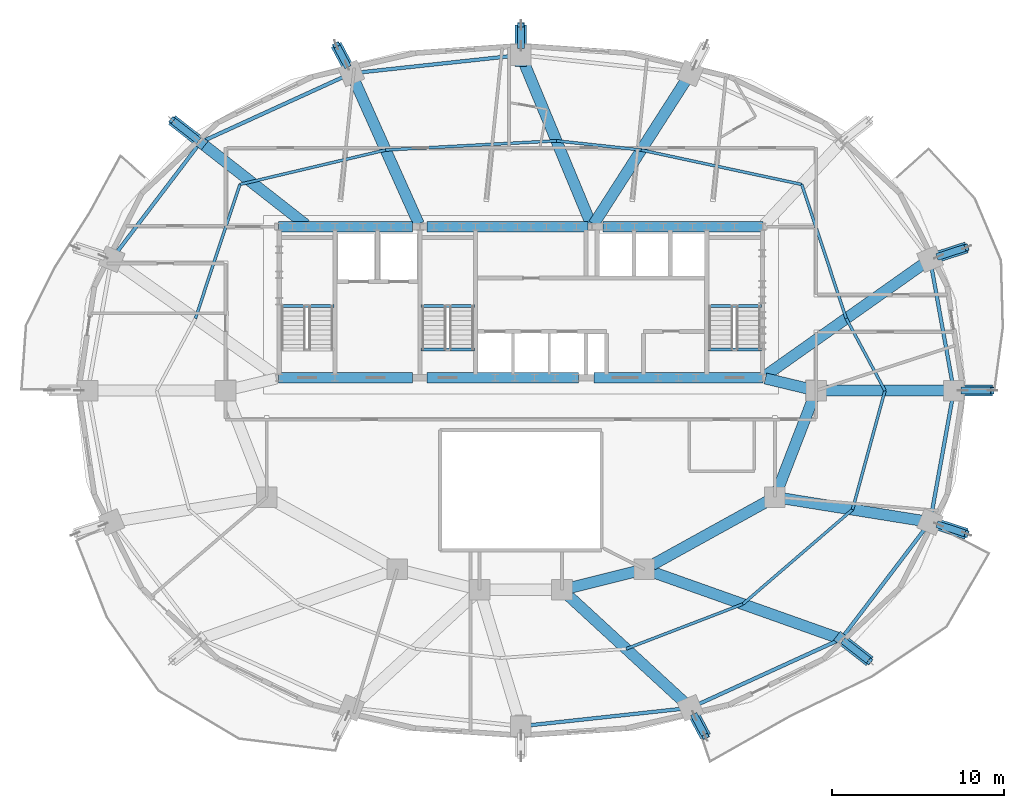
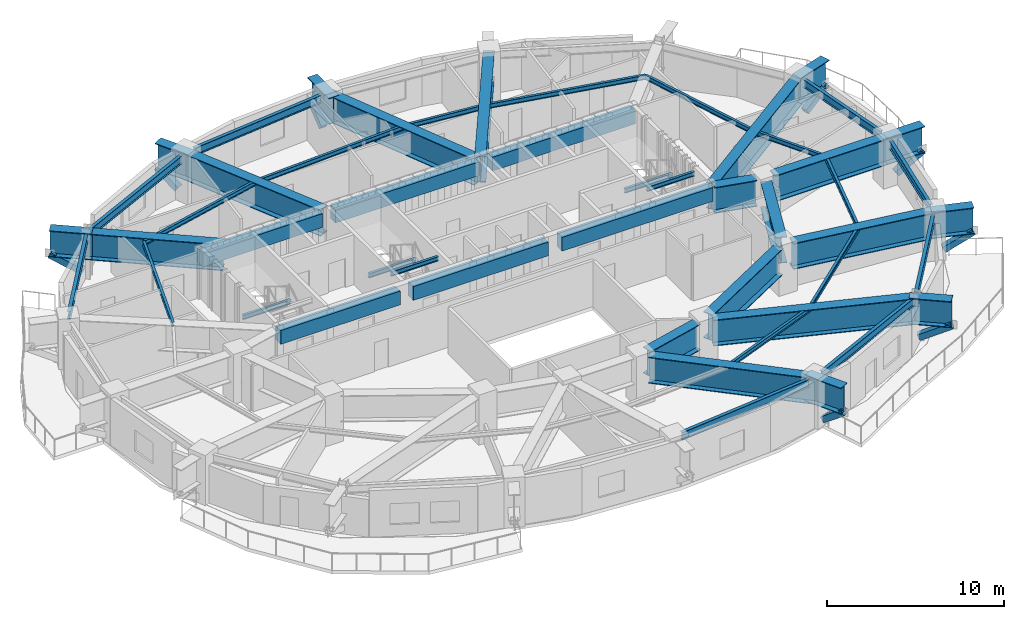
# One storey, part 2 of 14: 50 beams, 8 members.
"""IFC4 building model written with IfcOpenShell, lengths in metres."""

import ifcopenshell
import ifcopenshell.guid

model = None  # the IFC model being written
_history = None  # IfcOwnerHistory: only IFC2X3 demands one
_inside = {}  # id of a spatial element -> (the spatial element, [elements in it])
_under = {}  # id of a project, library or spatial element -> (it, [spatial elements below it])
_declared = {}  # id of a project -> (the project, [libraries it declares])
_typed = {}  # id of a type object -> (the type object, [elements of that type])
_made_of = {}  # id of a material, layer set ... -> (it, [elements and type objects made of it])


def new_model(schema):
    """Start an empty IFC model of exactly this schema.

    Asked for "IFC4X3", IfcOpenShell would pick the latest addendum, in which some entities
    have other attributes; the version numbers below select the first issue.
    IFC2X3 requires an IfcOwnerHistory on every rooted entity: one is made here for all.
    """
    global model, _history
    if schema == "IFC4X3":
        model = ifcopenshell.file(schema_version=(4, 3, 0, 0))
    else:
        model = ifcopenshell.file(schema=schema)
    _inside.clear()
    _under.clear()
    _declared.clear()
    _typed.clear()
    _made_of.clear()
    _history = None
    if model.schema == "IFC2X3":
        org = make("IfcOrganization", Name="unknown")
        user = make(
            "IfcPersonAndOrganization",
            ThePerson=make("IfcPerson", FamilyName="unknown"),
            TheOrganization=org,
        )
        app = make(
            "IfcApplication",
            ApplicationDeveloper=org,
            Version="unknown",
            ApplicationFullName="unknown",
            ApplicationIdentifier="unknown",
        )
        _history = make(
            "IfcOwnerHistory",
            OwningUser=user,
            OwningApplication=app,
            ChangeAction="ADDED",
            CreationDate=0,
        )
    return model


def make(cls, **values):
    """One entity of the class cls with the attributes given. An attribute that is None is left unset."""
    return model.create_entity(
        cls, **{name: value for name, value in values.items() if value is not None}
    )


def rooted(cls, **values):
    """An entity with a GlobalId (a new one), such as an element, a storey or a relation."""
    return make(cls, GlobalId=ifcopenshell.guid.new(), OwnerHistory=_history, **values)


def si_unit(unit_type, name, prefix=None):
    """IfcSIUnit, for example si_unit("LENGTHUNIT", "METRE", prefix="MILLI")."""
    return make("IfcSIUnit", UnitType=unit_type, Prefix=prefix, Name=name)


def assignment(units):
    """IfcUnitAssignment: the units of a project."""
    return None if units is None else make("IfcUnitAssignment", Units=units)


def point(xyz):
    """IfcCartesianPoint."""
    return None if xyz is None else make("IfcCartesianPoint", Coordinates=xyz)


def direction(xyz):
    """IfcDirection."""
    return None if xyz is None else make("IfcDirection", DirectionRatios=xyz)


def frame(location, z_axis=None, x_axis=None):
    """IfcAxis2Placement3D, a coordinate frame: its origin and axes. An axis left out is left unset."""
    return make(
        "IfcAxis2Placement3D",
        Location=point(location),
        Axis=direction(z_axis),
        RefDirection=direction(x_axis),
    )


def frame_2d(location, x_axis=None):
    """IfcAxis2Placement2D, a coordinate frame in the plane: its origin and x axis."""
    return make(
        "IfcAxis2Placement2D", Location=point(location), RefDirection=direction(x_axis)
    )


def origin():
    """The frame at (0, 0, 0) with its axes left unset."""
    return frame((0.0, 0.0, 0.0))


def origin_2d():
    """The frame at (0, 0) in the plane with its x axis left unset."""
    return frame_2d((0.0, 0.0))


def place(relative_to, where):
    """IfcLocalPlacement: puts the frame where relative to a parent placement (None: the world)."""
    return make(
        "IfcLocalPlacement", PlacementRelTo=relative_to, RelativePlacement=where
    )


def context(
    kind, dimensions, precision=None, world=None, true_north=None, identifier=None
):
    """IfcGeometricRepresentationContext, for example the 3D "Model" context."""
    return make(
        "IfcGeometricRepresentationContext",
        ContextIdentifier=identifier,
        ContextType=kind,
        CoordinateSpaceDimension=dimensions,
        Precision=precision,
        WorldCoordinateSystem=world,
        TrueNorth=true_north,
    )


def subcontext(parent, identifier, kind, view, scale=None):
    """IfcGeometricRepresentationSubContext, for example "Body" below "Model"."""
    return make(
        "IfcGeometricRepresentationSubContext",
        ContextIdentifier=identifier,
        ContextType=kind,
        ParentContext=parent,
        TargetScale=scale,
        TargetView=view,
    )


def project(units=None, contexts=None):
    """IfcProject with its units and contexts."""
    return rooted(
        "IfcProject",
        Name="project",
        RepresentationContexts=contexts,
        UnitsInContext=assignment(units),
    )


def spatial(cls, under=None, at=None, **own):
    """A site, building, storey or space (cls), placed at a placement, below another one or the project."""
    s = rooted(cls, ObjectPlacement=at, **own)
    if under is not None:
        _under.setdefault(under.id(), (under, []))[1].append(s)
    return s


def profile(cls, at=None, kind="AREA", **sizes):
    """A parametric profile (cls). Its sizes go by their IFC names, for example OverallWidth=200.0."""
    return make(cls, ProfileType=kind, Position=at, **sizes)


def rectangle(**sizes):
    """IfcRectangleProfileDef."""
    return profile("IfcRectangleProfileDef", **sizes)


def hollow_rectangle(**sizes):
    """IfcRectangleHollowProfileDef."""
    return profile("IfcRectangleHollowProfileDef", **sizes)


def i_section(**sizes):
    """IfcIShapeProfileDef."""
    return profile("IfcIShapeProfileDef", **sizes)


def extrude(swept, where, along, depth):
    """IfcExtrudedAreaSolid: the profile swept, set in the frame where, extruded along a direction by depth."""
    return make(
        "IfcExtrudedAreaSolid",
        SweptArea=swept,
        Position=where,
        ExtrudedDirection=direction(along),
        Depth=depth,
    )


def shape(context_of_items, identifier, shape_type, items):
    """IfcShapeRepresentation: the items that make up one representation, for example the "Body"."""
    return make(
        "IfcShapeRepresentation",
        ContextOfItems=context_of_items,
        RepresentationIdentifier=identifier,
        RepresentationType=shape_type,
        Items=items,
    )


def material(Name=None, Category=None):
    """IfcMaterial."""
    return make("IfcMaterial", Name=Name, Category=Category)


def material_profile(
    of_material, cross_section, Name=None, Category=None, Priority=None
):
    """IfcMaterialProfile: a cross section and its material."""
    return make(
        "IfcMaterialProfile",
        Name=Name,
        Material=of_material,
        Profile=cross_section,
        Priority=Priority,
        Category=Category,
    )


def profile_set(profiles, Name=None, composite=None):
    """IfcMaterialProfileSet."""
    return make(
        "IfcMaterialProfileSet",
        Name=Name,
        MaterialProfiles=profiles,
        CompositeProfile=composite,
    )


def made_of(thing, what):
    """Note that an element or type object is made of a material, layer set ...; save() writes the relation."""
    if what is not None:
        _made_of.setdefault(what.id(), (what, []))[1].append(thing)
    return thing


def type_object(cls, material=None, **own):
    """A type object (cls), such as IfcWallType, which elements share."""
    return made_of(rooted(cls, **own), material)


def element(
    cls,
    number,
    at=None,
    inside=None,
    cuts=None,
    type_object=None,
    material=None,
    context=None,
    identifier="Body",
    shape_type=None,
    held_by="IfcProductDefinitionShape",
    body=None,
    shapes=None,
    **own,
):
    """One element of the class cls, such as IfcWall. Its Tag is "e" and its number.

    at: its placement. inside: the storey or other place that contains it. cuts: it is an
    opening in that element (IfcRelVoidsElement). A single representation is given by context,
    identifier, shape_type and body (its items); several are given by shapes. held_by: the class
    of the entity that holds the representations. save() writes the other relations.
    """
    e = rooted(cls, Tag="e%d" % number, ObjectPlacement=at, **own)
    if body is not None:
        shapes = [shape(context, identifier, shape_type, body)]
    if shapes is not None:
        e.Representation = make(held_by, Representations=shapes)
    if inside is not None:
        _inside.setdefault(inside.id(), (inside, []))[1].append(e)
    if cuts is not None:
        rooted(
            "IfcRelVoidsElement", RelatingBuildingElement=cuts, RelatedOpeningElement=e
        )
    if type_object is not None:
        _typed.setdefault(type_object.id(), (type_object, []))[1].append(e)
    return made_of(e, material)


def aggregate(whole, parts):
    """IfcRelAggregates: a whole, such as a stair, and the parts it consists of."""
    return rooted("IfcRelAggregates", RelatingObject=whole, RelatedObjects=parts)


def save(model, path):
    """Write the relations noted so far, then the file.

    IfcRelAggregates (storeys below a building ...), IfcRelContainedInSpatialStructure (elements
    in a storey), IfcRelDefinesByType, IfcRelAssociatesMaterial and IfcRelDeclares: one each for
    every whole, place, type object, material and project.
    """
    for whole, parts in _under.values():
        aggregate(whole, parts)
    for where, things in _inside.values():
        rooted(
            "IfcRelContainedInSpatialStructure",
            RelatedElements=things,
            RelatingStructure=where,
        )
    for kind, things in _typed.values():
        rooted("IfcRelDefinesByType", RelatedObjects=things, RelatingType=kind)
    for what, things in _made_of.values():
        rooted("IfcRelAssociatesMaterial", RelatedObjects=things, RelatingMaterial=what)
    for by, libraries in _declared.values():
        rooted("IfcRelDeclares", RelatingContext=by, RelatedDefinitions=libraries)
    model.write(path)


model = new_model("IFC4")

# Units and contexts
model_context = context("Model", 3, precision=1e-05, world=origin(), true_north=direction((0.0, 1.0)))
body_context = subcontext(model_context, "Body", "Model", "MODEL_VIEW")
ifc_project = project(units=[si_unit("LENGTHUNIT", "METRE"), si_unit("AREAUNIT", "SQUARE_METRE"), si_unit("VOLUMEUNIT", "CUBIC_METRE"), si_unit("PLANEANGLEUNIT", "RADIAN"), si_unit("MASSUNIT", "GRAM", prefix="KILO")], contexts=[model_context])

# Site, building, storey
site_placement = place(None, origin())
site = spatial("IfcSite", under=ifc_project, at=site_placement, CompositionType="ELEMENT")
building_placement = place(site_placement, origin())
building = spatial("IfcBuilding", under=site, at=building_placement, Name="Haldorwick Loom Tower", CompositionType="ELEMENT")
storey_placement = place(building_placement, frame((0.0, 0.0, 182.050048828125)))
storey = spatial("IfcBuildingStorey", under=building, at=storey_placement, Name="L49", CompositionType="ELEMENT", Elevation=182.050048828125)

# Beams
ifc_material_1 = material(Name="Concrete C50 (50 MPa)", Category="concrete")
ifc_material_profile_1 = material_profile(ifc_material_1, rectangle(XDim=0.60009765625, YDim=0.949951171875, at=origin_2d()), Name="RC600X950", Category="concrete")
ifc_profile_set_1 = profile_set([ifc_material_profile_1], Name="Concrete C50 (50 MPa)")
beam_type_1 = type_object("IfcBeamType", Name="STR-BM-CB950", PredefinedType="LINTEL", material=ifc_profile_set_1)
beam_1_placement = place(storey_placement, frame((21.89990234375, 35.550048828125, 2.695068359375), z_axis=(1.0, 0.0, 0.0), x_axis=(0.0, 1.0, 0.0)))
element("IfcBeam", 1, at=beam_1_placement, inside=storey, type_object=beam_type_1, Name="L49 Core Coupling Beam CB-N1", PredefinedType="LINTEL", context=body_context, shape_type="SweptSolid", body=[
    extrude(rectangle(XDim=0.60009765625, YDim=0.949951171875, at=origin_2d()), origin(), (0.0, 0.0, 1.0), 7.800048828125),
])
beam_2_placement = place(storey_placement, frame((30.550048828125, 35.550048828125, 2.695068359375), z_axis=(1.0, 0.0, 0.0), x_axis=(0.0, 1.0, 0.0)))
element("IfcBeam", 2, at=beam_2_placement, inside=storey, type_object=beam_type_1, Name="L49 Core Coupling Beam CB-N2", PredefinedType="LINTEL", context=body_context, shape_type="SweptSolid", body=[
    extrude(rectangle(XDim=0.60009765625, YDim=0.949951171875, at=origin_2d()), origin(), (0.0, 0.0, 1.0), 9.349853515625),
])
beam_3_placement = place(storey_placement, frame((40.800048828125, 35.550048828125, 2.695068359375), z_axis=(1.0, 0.0, 0.0), x_axis=(0.0, 1.0, 0.0)))
element("IfcBeam", 3, at=beam_3_placement, inside=storey, type_object=beam_type_1, Name="L49 Core Coupling Beam CB-N3", PredefinedType="LINTEL", context=body_context, shape_type="SweptSolid", body=[
    extrude(rectangle(XDim=0.60009765625, YDim=0.949951171875, at=origin_2d()), origin(), (0.0, 0.0, 1.0), 9.300048828125),
])
beam_4_placement = place(storey_placement, frame((21.89990234375, 26.75, 2.695068359375), z_axis=(1.0, 0.0, 0.0), x_axis=(0.0, 1.0, 0.0)))
element("IfcBeam", 4, at=beam_4_placement, inside=storey, type_object=beam_type_1, Name="L49 Core Coupling Beam CB-S1", PredefinedType="LINTEL", context=body_context, shape_type="SweptSolid", body=[
    extrude(rectangle(XDim=0.60009765625, YDim=0.949951171875, at=origin_2d()), origin(), (0.0, 0.0, 1.0), 7.800048828125),
])
beam_5_placement = place(storey_placement, frame((30.550048828125, 26.75, 2.695068359375), z_axis=(1.0, 0.0, 0.0), x_axis=(0.0, 1.0, 0.0)))
element("IfcBeam", 5, at=beam_5_placement, inside=storey, type_object=beam_type_1, Name="L49 Core Coupling Beam CB-S2", PredefinedType="LINTEL", context=body_context, shape_type="SweptSolid", body=[
    extrude(rectangle(XDim=0.60009765625, YDim=0.949951171875, at=origin_2d()), origin(), (0.0, 0.0, 1.0), 8.800048828125),
])
beam_6_placement = place(storey_placement, frame((40.25, 26.75, 2.695068359375), z_axis=(1.0, 0.0, 0.0), x_axis=(0.0, 1.0, 0.0)))
element("IfcBeam", 6, at=beam_6_placement, inside=storey, type_object=beam_type_1, Name="L49 Core Coupling Beam CB-S3", PredefinedType="LINTEL", context=body_context, shape_type="SweptSolid", body=[
    extrude(rectangle(XDim=0.60009765625, YDim=0.949951171875, at=origin_2d()), origin(), (0.0, 0.0, 1.0), 9.85009765625),
])
ifc_material_2 = material(Name="Steel CSA G40.21 350W", Category="steel")
ifc_material_profile_2 = material_profile(ifc_material_2, i_section(OverallWidth=0.166015625, OverallDepth=0.31298828125, WebThickness=0.006591796875, FlangeThickness=0.01123046875, at=origin_2d()), Name="W310X45", Category="steel")
ifc_profile_set_2 = profile_set([ifc_material_profile_2], Name="Steel CSA G40.21 350W")
beam_type_2 = type_object("IfcBeamType", Name="STR-BM-J310", PredefinedType="JOIST", material=ifc_profile_set_2)
beam_7_placement = place(storey_placement, frame((57.20849609375, 26.0, 3.013427734375), z_axis=(-0.472930162238, 0.881099915813, 0.0), x_axis=(-0.881099915813, -0.472930162238, 0.0)))
element("IfcBeam", 7, at=beam_7_placement, inside=storey, type_object=beam_type_2, Name="L49 Mid-Bay Secondary Joist 1", PredefinedType="JOIST", context=body_context, shape_type="SweptSolid", body=[
    extrude(i_section(OverallWidth=0.166015625, OverallDepth=0.31298828125, WebThickness=0.006591796875, FlangeThickness=0.01123046875, at=origin_2d()), origin(), (0.0, 0.0, 1.0), 4.76904296875),
])
beam_8_placement = place(storey_placement, frame((54.953125, 30.201904296875, 3.013427734375), z_axis=(-0.314980632705, 0.949098098734, 0.0), x_axis=(-0.949098098734, -0.314980632705, 0.0)))
element("IfcBeam", 8, at=beam_8_placement, inside=storey, type_object=beam_type_2, Name="L49 Mid-Bay Secondary Joist 2", PredefinedType="JOIST", context=body_context, shape_type="SweptSolid", body=[
    extrude(i_section(OverallWidth=0.166015625, OverallDepth=0.31298828125, WebThickness=0.006591796875, FlangeThickness=0.01123046875, at=origin_2d()), origin(), (0.0, 0.0, 1.0), 8.223876953125),
])
beam_9_placement = place(storey_placement, frame((52.36279296875, 38.007080078125, 3.013427734375), z_axis=(-0.977737366421, 0.209832414808, 0.0), x_axis=(-0.209832414808, -0.977737366421, 0.0)))
element("IfcBeam", 9, at=beam_9_placement, inside=storey, type_object=beam_type_2, Name="L49 Mid-Bay Secondary Joist 3", PredefinedType="JOIST", context=body_context, shape_type="SweptSolid", body=[
    extrude(i_section(OverallWidth=0.166015625, OverallDepth=0.31298828125, WebThickness=0.006591796875, FlangeThickness=0.01123046875, at=origin_2d()), origin(), (0.0, 0.0, 1.0), 9.56396484375),
])
beam_10_placement = place(storey_placement, frame((43.01171875, 40.013916015625, 3.013427734375), z_axis=(-0.994212584227, 0.107430616514, 0.0), x_axis=(-0.107430616514, -0.994212584227, 0.0)))
element("IfcBeam", 10, at=beam_10_placement, inside=storey, type_object=beam_type_2, Name="L49 Mid-Bay Secondary Joist 4", PredefinedType="JOIST", context=body_context, shape_type="SweptSolid", body=[
    extrude(i_section(OverallWidth=0.166015625, OverallDepth=0.31298828125, WebThickness=0.006591796875, FlangeThickness=0.01123046875, at=origin_2d()), origin(), (0.0, 0.0, 1.0), 4.965576171875),
])
beam_11_placement = place(storey_placement, frame((38.074951171875, 40.54736328125, 3.013427734375), z_axis=(-0.998564927415, -0.053554511828, 0.0), x_axis=(0.053554511828, -0.998564927415, 0.0)))
element("IfcBeam", 11, at=beam_11_placement, inside=storey, type_object=beam_type_2, Name="L49 Mid-Bay Secondary Joist 5", PredefinedType="JOIST", context=body_context, shape_type="SweptSolid", body=[
    extrude(i_section(OverallWidth=0.166015625, OverallDepth=0.31298828125, WebThickness=0.006591796875, FlangeThickness=0.01123046875, at=origin_2d()), origin(), (0.0, 0.0, 1.0), 9.9609375),
])
beam_12_placement = place(storey_placement, frame((28.12841796875, 40.013916015625, 3.013427734375), z_axis=(-0.973189168086, -0.230006180612, 0.0), x_axis=(0.230006180612, -0.973189168086, 0.0)))
element("IfcBeam", 12, at=beam_12_placement, inside=storey, type_object=beam_type_2, Name="L49 Mid-Bay Secondary Joist 6", PredefinedType="JOIST", context=body_context, shape_type="SweptSolid", body=[
    extrude(i_section(OverallWidth=0.166015625, OverallDepth=0.31298828125, WebThickness=0.006591796875, FlangeThickness=0.01123046875, at=origin_2d()), origin(), (0.0, 0.0, 1.0), 8.72509765625),
])
beam_13_placement = place(storey_placement, frame((19.63720703125, 38.007080078125, 3.013427734375), z_axis=(-0.314980632705, -0.949098098734, 0.0), x_axis=(0.949098098734, -0.314980632705, 0.0)))
element("IfcBeam", 13, at=beam_13_placement, inside=storey, type_object=beam_type_2, Name="L49 Mid-Bay Secondary Joist 7", PredefinedType="JOIST", context=body_context, shape_type="SweptSolid", body=[
    extrude(i_section(OverallWidth=0.166015625, OverallDepth=0.31298828125, WebThickness=0.006591796875, FlangeThickness=0.01123046875, at=origin_2d()), origin(), (0.0, 0.0, 1.0), 8.223876953125),
])
beam_14_placement = place(storey_placement, frame((42.13671875, 10.961181640625, 3.013427734375), z_axis=(0.933586737031, 0.358351509609, 0.0), x_axis=(-0.358351509609, 0.933586737031, 0.0)))
element("IfcBeam", 14, at=beam_14_placement, inside=storey, type_object=beam_type_2, Name="L49 Mid-Bay Secondary Joist 14", PredefinedType="JOIST", context=body_context, shape_type="SweptSolid", body=[
    extrude(i_section(OverallWidth=0.166015625, OverallDepth=0.31298828125, WebThickness=0.006591796875, FlangeThickness=0.01123046875, at=origin_2d()), origin(), (0.0, 0.0, 1.0), 7.274169921875),
])
beam_15_placement = place(storey_placement, frame((48.927734375, 13.56787109375, 3.013427734375), z_axis=(0.75763401328, 0.652679631918, 0.0), x_axis=(-0.652679631918, 0.75763401328, 0.0)))
element("IfcBeam", 15, at=beam_15_placement, inside=storey, type_object=beam_type_2, Name="L49 Mid-Bay Secondary Joist 15", PredefinedType="JOIST", context=body_context, shape_type="SweptSolid", body=[
    extrude(i_section(OverallWidth=0.166015625, OverallDepth=0.31298828125, WebThickness=0.006591796875, FlangeThickness=0.01123046875, at=origin_2d()), origin(), (0.0, 0.0, 1.0), 8.4345703125),
])
beam_16_placement = place(storey_placement, frame((55.318115234375, 19.072998046875, 3.013427734375), z_axis=(0.263272762578, 0.964721437766, 0.0), x_axis=(-0.964721437766, 0.263272762578, 0.0)))
element("IfcBeam", 16, at=beam_16_placement, inside=storey, type_object=beam_type_2, Name="L49 Mid-Bay Secondary Joist 16", PredefinedType="JOIST", context=body_context, shape_type="SweptSolid", body=[
    extrude(i_section(OverallWidth=0.166015625, OverallDepth=0.31298828125, WebThickness=0.006591796875, FlangeThickness=0.01123046875, at=origin_2d()), origin(), (0.0, 0.0, 1.0), 7.180419921875),
])
ifc_material_profile_3 = material_profile(ifc_material_2, i_section(OverallWidth=0.2119140625, OverallDepth=0.5439453125, WebThickness=0.01318359375, FlangeThickness=0.021240234375, at=origin_2d()), Name="W530X123", Category="steel")
ifc_profile_set_3 = profile_set([ifc_material_profile_3], Name="Steel CSA G40.21 350W")
beam_type_3 = type_object("IfcBeamType", Name="STR-BM-SP530", PredefinedType="SPANDREL", material=ifc_profile_set_3)
beam_17_placement = place(storey_placement, frame((61.124755859375, 26.51171875, 2.89794921875), z_axis=(-0.177558730702, 0.984110205796, 0.0), x_axis=(-0.984110205796, -0.177558730702, 0.0)))
element("IfcBeam", 17, at=beam_17_placement, inside=storey, type_object=beam_type_3, Name="L49 Perimeter Spandrel 1", PredefinedType="SPANDREL", context=body_context, shape_type="SweptSolid", body=[
    extrude(i_section(OverallWidth=0.2119140625, OverallDepth=0.5439453125, WebThickness=0.01318359375, FlangeThickness=0.021240234375, at=origin_2d()), origin(), (0.0, 0.0, 1.0), 6.737548828125),
])
beam_18_placement = place(storey_placement, frame((35.48291015625, 45.48876953125, 2.89794921875), z_axis=(-0.994210140187, -0.107453232386, 0.0), x_axis=(0.107453232386, -0.994210140187, 0.0)))
element("IfcBeam", 18, at=beam_18_placement, inside=storey, type_object=beam_type_3, Name="L49 Perimeter Spandrel 5", PredefinedType="SPANDREL", context=body_context, shape_type="SweptSolid", body=[
    extrude(i_section(OverallWidth=0.2119140625, OverallDepth=0.5439453125, WebThickness=0.01318359375, FlangeThickness=0.021240234375, at=origin_2d()), origin(), (0.0, 0.0, 1.0), 8.890625),
])
beam_19_placement = place(storey_placement, frame((25.65380859375, 44.261474609375, 2.89794921875), z_axis=(-0.909523899848, -0.415651627695, 0.0), x_axis=(0.415651627695, -0.909523899848, 0.0)))
element("IfcBeam", 19, at=beam_19_placement, inside=storey, type_object=beam_type_3, Name="L49 Perimeter Spandrel 6", PredefinedType="SPANDREL", context=body_context, shape_type="SweptSolid", body=[
    extrude(i_section(OverallWidth=0.2119140625, OverallDepth=0.5439453125, WebThickness=0.01318359375, FlangeThickness=0.021240234375, at=origin_2d()), origin(), (0.0, 0.0, 1.0), 8.910888671875),
])
beam_20_placement = place(storey_placement, frame((17.208251953125, 40.28515625, 2.89794921875), z_axis=(-0.605421569293, -0.79590497136, 0.0), x_axis=(0.79590497136, -0.605421569293, 0.0)))
element("IfcBeam", 20, at=beam_20_placement, inside=storey, type_object=beam_type_3, Name="L49 Perimeter Spandrel 7", PredefinedType="SPANDREL", context=body_context, shape_type="SweptSolid", body=[
    extrude(i_section(OverallWidth=0.2119140625, OverallDepth=0.5439453125, WebThickness=0.01318359375, FlangeThickness=0.021240234375, at=origin_2d()), origin(), (0.0, 0.0, 1.0), 7.81201171875),
])
beam_21_placement = place(storey_placement, frame((36.51708984375, 6.51123046875, 2.89794921875), z_axis=(0.994210140187, 0.107453232386, 0.0), x_axis=(-0.107453232386, 0.994210140187, 0.0)))
element("IfcBeam", 21, at=beam_21_placement, inside=storey, type_object=beam_type_3, Name="L49 Perimeter Spandrel 13", PredefinedType="SPANDREL", context=body_context, shape_type="SweptSolid", body=[
    extrude(i_section(OverallWidth=0.2119140625, OverallDepth=0.5439453125, WebThickness=0.01318359375, FlangeThickness=0.021240234375, at=origin_2d()), origin(), (0.0, 0.0, 1.0), 8.890625),
])
beam_22_placement = place(storey_placement, frame((46.34619140625, 7.738525390625, 2.89794921875), z_axis=(0.909523899848, 0.415651627695, 0.0), x_axis=(-0.415651627695, 0.909523899848, 0.0)))
element("IfcBeam", 22, at=beam_22_placement, inside=storey, type_object=beam_type_3, Name="L49 Perimeter Spandrel 14", PredefinedType="SPANDREL", context=body_context, shape_type="SweptSolid", body=[
    extrude(i_section(OverallWidth=0.2119140625, OverallDepth=0.5439453125, WebThickness=0.01318359375, FlangeThickness=0.021240234375, at=origin_2d()), origin(), (0.0, 0.0, 1.0), 8.910888671875),
])
beam_23_placement = place(storey_placement, frame((54.791748046875, 11.71484375, 2.89794921875), z_axis=(0.605421569293, 0.79590497136, 0.0), x_axis=(-0.79590497136, 0.605421569293, 0.0)))
element("IfcBeam", 23, at=beam_23_placement, inside=storey, type_object=beam_type_3, Name="L49 Perimeter Spandrel 15", PredefinedType="SPANDREL", context=body_context, shape_type="SweptSolid", body=[
    extrude(i_section(OverallWidth=0.2119140625, OverallDepth=0.5439453125, WebThickness=0.01318359375, FlangeThickness=0.021240234375, at=origin_2d()), origin(), (0.0, 0.0, 1.0), 7.81201171875),
])
beam_24_placement = place(storey_placement, frame((59.928466796875, 18.85791015625, 2.89794921875), z_axis=(0.177558730702, 0.984110205796, 0.0), x_axis=(-0.984110205796, 0.177558730702, 0.0)))
element("IfcBeam", 24, at=beam_24_placement, inside=storey, type_object=beam_type_3, Name="L49 Perimeter Spandrel 16", PredefinedType="SPANDREL", context=body_context, shape_type="SweptSolid", body=[
    extrude(i_section(OverallWidth=0.2119140625, OverallDepth=0.5439453125, WebThickness=0.01318359375, FlangeThickness=0.021240234375, at=origin_2d()), origin(), (0.0, 0.0, 1.0), 6.737548828125),
])
ifc_material_profile_4 = material_profile(ifc_material_2, i_section(OverallWidth=0.166015625, OverallDepth=0.31298828125, WebThickness=0.006591796875, FlangeThickness=0.01123046875, at=origin_2d()), Name="W310X45", Category="steel")
ifc_profile_set_4 = profile_set([ifc_material_profile_4], Name="Steel CSA G40.21 350W")
beam_type_4 = type_object("IfcBeamType", Name="STR-BM-STRM", PredefinedType="BEAM", material=ifc_profile_set_4)
for number, where, z_axis, x_axis, name in (
    (25, (21.989990234375, 30.919921875, 1.368408203125), (1.0, 0.0, 0.0), (0.0, 1.0, 0.0), "L49 Stair ST-01 Half-Landing Trimmer 1"),
    (26, (46.889892578125, 28.39990234375, 3.013427734375), (1.0, 0.0, 0.0), (0.0, 1.0, 0.0), "L49 Stair ST-02 Landing Edge Trimmer"),
    (27, (46.889892578125, 30.919921875, 1.368408203125), (1.0, 0.0, 0.0), (0.0, 1.0, 0.0), "L49 Stair ST-02 Half-Landing Trimmer 1"),
    (28, (30.18994140625, 28.39990234375, 3.013427734375), (1.0, 0.0, 0.0), (0.0, 1.0, 0.0), "L49 Stair ST-03 Landing Edge Trimmer"),
    (29, (30.18994140625, 30.919921875, 1.368408203125), (1.0, 0.0, 0.0), (0.0, 1.0, 0.0), "L49 Stair ST-03 Half-Landing Trimmer 1"),
):
    element("IfcBeam", number, at=place(storey_placement, frame(where, z_axis=z_axis, x_axis=x_axis)), inside=storey, type_object=beam_type_4, Name=name, PredefinedType="BEAM", context=body_context, shape_type="SweptSolid", body=[
        extrude(i_section(OverallWidth=0.166015625, OverallDepth=0.31298828125, WebThickness=0.006591796875, FlangeThickness=0.01123046875, at=origin_2d()), origin(), (0.0, 0.0, 1.0), 3.1201171875),
    ])
ifc_material_3 = material(Name="Steel CSA G40.21 350WT", Category="steel")
ifc_material_profile_5 = material_profile(ifc_material_3, i_section(OverallWidth=0.64990234375, OverallDepth=1.800048828125, WebThickness=0.02587890625, FlangeThickness=0.048095703125, at=origin_2d()), Name="WWF1800X650", Category="steel")
ifc_profile_set_5 = profile_set([ifc_material_profile_5], Name="Steel CSA G40.21 350WT")
beam_type_5 = type_object("IfcBeamType", Name="STR-BM-TG1800", PredefinedType="BEAM", material=ifc_profile_set_5)
beam_25_placement = place(storey_placement, frame((50.2431640625, 26.70849609375, 2.27001953125), z_axis=(0.97246637463, -0.233043236789, 0.0), x_axis=(0.233043236789, 0.97246637463, 0.0)))
element("IfcBeam", 30, at=beam_25_placement, inside=storey, type_object=beam_type_5, Name="L49 Inner Ring Girder 1", PredefinedType="BEAM", context=body_context, shape_type="SweptSolid", body=[
    extrude(i_section(OverallWidth=0.64990234375, OverallDepth=1.800048828125, WebThickness=0.02587890625, FlangeThickness=0.048095703125, at=origin_2d()), origin(), (0.0, 0.0, 1.0), 2.5205078125),
])
beam_26_placement = place(storey_placement, frame((53.01220703125, 25.51513671875, 2.27001953125), z_axis=(-0.360964792353, -0.93257944363, 0.0), x_axis=(0.93257944363, -0.360964792353, 0.0)))
element("IfcBeam", 31, at=beam_26_placement, inside=storey, type_object=beam_type_5, Name="L49 Inner Ring Girder 2", PredefinedType="BEAM", context=body_context, shape_type="SweptSolid", body=[
    extrude(i_section(OverallWidth=0.64990234375, OverallDepth=1.800048828125, WebThickness=0.02587890625, FlangeThickness=0.048095703125, at=origin_2d()), origin(), (0.0, 0.0, 1.0), 5.6083984375),
])
beam_27_placement = place(storey_placement, frame((50.344970703125, 19.548583984375, 2.27001953125), z_axis=(-0.875244382146, -0.483680960471, 0.0), x_axis=(0.483680960471, -0.875244382146, 0.0)))
element("IfcBeam", 32, at=beam_27_placement, inside=storey, type_object=beam_type_5, Name="L49 Inner Ring Girder 3", PredefinedType="BEAM", context=body_context, shape_type="SweptSolid", body=[
    extrude(i_section(OverallWidth=0.64990234375, OverallDepth=1.800048828125, WebThickness=0.02587890625, FlangeThickness=0.048095703125, at=origin_2d()), origin(), (0.0, 0.0, 1.0), 7.6435546875),
])
beam_28_placement = place(storey_placement, frame((42.695556640625, 15.473876953125, 2.27001953125), z_axis=(-0.970142500145, -0.242535625036, 0.0), x_axis=(0.242535625036, -0.970142500145, 0.0)))
element("IfcBeam", 33, at=beam_28_placement, inside=storey, type_object=beam_type_5, Name="L49 Inner Ring Girder 4", PredefinedType="BEAM", context=body_context, shape_type="SweptSolid", body=[
    extrude(i_section(OverallWidth=0.64990234375, OverallDepth=1.800048828125, WebThickness=0.02587890625, FlangeThickness=0.048095703125, at=origin_2d()), origin(), (0.0, 0.0, 1.0), 3.90771484375),
])
beam_29_placement = place(storey_placement, frame((53.719970703125, 26.0, 2.27001953125), z_axis=(1.0, 0.0, 0.0), x_axis=(0.0, 1.0, 0.0)))
element("IfcBeam", 34, at=beam_29_placement, inside=storey, type_object=beam_type_5, Name="L49 Waist Flare Inner Transfer Girder 1", PredefinedType="BEAM", context=body_context, shape_type="SweptSolid", body=[
    extrude(i_section(OverallWidth=0.64990234375, OverallDepth=1.800048828125, WebThickness=0.02587890625, FlangeThickness=0.048095703125, at=origin_2d()), origin(), (0.0, 0.0, 1.0), 7.4970703125),
])
beam_30_placement = place(storey_placement, frame((61.04638671875, 26.0, 2.27001953125), z_axis=(1.0, 0.0, 0.0), x_axis=(0.0, 1.0, 0.0)))
element("IfcBeam", 35, at=beam_30_placement, inside=storey, type_object=beam_type_5, Name="L49 Waist Flare Cantilever Transfer Girder 1", PredefinedType="BEAM", context=body_context, shape_type="SweptSolid", body=[
    extrude(i_section(OverallWidth=0.64990234375, OverallDepth=1.800048828125, WebThickness=0.02587890625, FlangeThickness=0.048095703125, at=origin_2d()), origin(), (0.0, 0.0, 1.0), 2.419921875),
])
beam_31_placement = place(storey_placement, frame((50.21533203125, 26.852783203125, 2.27001953125), z_axis=(0.81657429865, 0.577240344038, 0.0), x_axis=(-0.577240344038, 0.81657429865, 0.0)))
element("IfcBeam", 36, at=beam_31_placement, inside=storey, type_object=beam_type_5, Name="L49 Waist Flare Inner Transfer Girder 2", PredefinedType="BEAM", context=body_context, shape_type="SweptSolid", body=[
    extrude(i_section(OverallWidth=0.64990234375, OverallDepth=1.800048828125, WebThickness=0.02587890625, FlangeThickness=0.048095703125, at=origin_2d()), origin(), (0.0, 0.0, 1.0), 11.781982421875),
])
beam_32_placement = place(storey_placement, frame((59.658935546875, 33.59619140625, 2.27001953125), z_axis=(0.95125402006, 0.308408478028, 0.0), x_axis=(-0.308408478028, 0.95125402006, 0.0)))
element("IfcBeam", 37, at=beam_32_placement, inside=storey, type_object=beam_type_5, Name="L49 Waist Flare Cantilever Transfer Girder 2", PredefinedType="BEAM", context=body_context, shape_type="SweptSolid", body=[
    extrude(i_section(OverallWidth=0.64990234375, OverallDepth=1.800048828125, WebThickness=0.02587890625, FlangeThickness=0.048095703125, at=origin_2d()), origin(), (0.0, 0.0, 1.0), 2.419921875),
])
beam_33_placement = place(storey_placement, frame((40.24609375, 35.699951171875, 2.27001953125), z_axis=(0.539702710399, 0.841855679073, 0.0), x_axis=(-0.841855679073, 0.539702710399, 0.0)))
element("IfcBeam", 38, at=beam_33_placement, inside=storey, type_object=beam_type_5, Name="L49 Waist Flare Inner Transfer Girder 4", PredefinedType="BEAM", context=body_context, shape_type="SweptSolid", body=[
    extrude(i_section(OverallWidth=0.64990234375, OverallDepth=1.800048828125, WebThickness=0.02587890625, FlangeThickness=0.048095703125, at=origin_2d()), origin(), (0.0, 0.0, 1.0), 10.426513671875),
])
beam_34_placement = place(storey_placement, frame((40.081787109375, 35.71435546875, 2.27001953125), z_axis=(-0.383479927045, 0.923549211225, 0.0), x_axis=(-0.923549211225, -0.383479927045, 0.0)))
element("IfcBeam", 39, at=beam_34_placement, inside=storey, type_object=beam_type_5, Name="L49 Waist Flare Inner Transfer Girder 5", PredefinedType="BEAM", context=body_context, shape_type="SweptSolid", body=[
    extrude(i_section(OverallWidth=0.64990234375, OverallDepth=1.800048828125, WebThickness=0.02587890625, FlangeThickness=0.048095703125, at=origin_2d()), origin(), (0.0, 0.0, 1.0), 10.64404296875),
])
beam_35_placement = place(storey_placement, frame((36.0, 44.885009765625, 2.27001953125), z_axis=(0.0, 1.0, 0.0), x_axis=(-1.0, 0.0, 0.0)))
element("IfcBeam", 40, at=beam_35_placement, inside=storey, type_object=beam_type_5, Name="L49 Waist Flare Cantilever Transfer Girder 5", PredefinedType="BEAM", context=body_context, shape_type="SweptSolid", body=[
    extrude(i_section(OverallWidth=0.64990234375, OverallDepth=1.800048828125, WebThickness=0.02587890625, FlangeThickness=0.048095703125, at=origin_2d()), origin(), (0.0, 0.0, 1.0), 2.419921875),
])
beam_36_placement = place(storey_placement, frame((30.05712890625, 35.71240234375, 2.27001953125), z_axis=(-0.409161714754, 0.912461884782, 0.0), x_axis=(-0.912461884782, -0.409161714754, 0.0)))
element("IfcBeam", 41, at=beam_36_placement, inside=storey, type_object=beam_type_5, Name="L49 Waist Flare Inner Transfer Girder 6", PredefinedType="BEAM", context=body_context, shape_type="SweptSolid", body=[
    extrude(i_section(OverallWidth=0.64990234375, OverallDepth=1.800048828125, WebThickness=0.02587890625, FlangeThickness=0.048095703125, at=origin_2d()), origin(), (0.0, 0.0, 1.0), 9.60595703125),
])
beam_37_placement = place(storey_placement, frame((26.378662109375, 44.001708984375, 2.27001953125), z_axis=(-0.46779501444, 0.883836989758, 0.0), x_axis=(-0.883836989758, -0.46779501444, 0.0)))
element("IfcBeam", 42, at=beam_37_placement, inside=storey, type_object=beam_type_5, Name="L49 Waist Flare Cantilever Transfer Girder 6", PredefinedType="BEAM", context=body_context, shape_type="SweptSolid", body=[
    extrude(i_section(OverallWidth=0.64990234375, OverallDepth=1.800048828125, WebThickness=0.02587890625, FlangeThickness=0.048095703125, at=origin_2d()), origin(), (0.0, 0.0, 1.0), 2.419921875),
])
beam_38_placement = place(storey_placement, frame((23.48388671875, 35.65966796875, 2.27001953125), z_axis=(-0.787524165201, 0.616283773293, 0.0), x_axis=(-0.616283773293, -0.787524165201, 0.0)))
element("IfcBeam", 43, at=beam_38_placement, inside=storey, type_object=beam_type_5, Name="L49 Waist Flare Inner Transfer Girder 7", PredefinedType="BEAM", context=body_context, shape_type="SweptSolid", body=[
    extrude(i_section(OverallWidth=0.64990234375, OverallDepth=1.800048828125, WebThickness=0.02587890625, FlangeThickness=0.048095703125, at=origin_2d()), origin(), (0.0, 0.0, 1.0), 7.7958984375),
])
beam_39_placement = place(storey_placement, frame((17.588134765625, 40.2734375, 2.27001953125), z_axis=(-0.787507129874, 0.61630554143, 0.0), x_axis=(-0.61630554143, -0.787507129874, 0.0)))
element("IfcBeam", 44, at=beam_39_placement, inside=storey, type_object=beam_type_5, Name="L49 Waist Flare Cantilever Transfer Girder 7", PredefinedType="BEAM", context=body_context, shape_type="SweptSolid", body=[
    extrude(i_section(OverallWidth=0.64990234375, OverallDepth=1.800048828125, WebThickness=0.02587890625, FlangeThickness=0.048095703125, at=origin_2d()), origin(), (0.0, 0.0, 1.0), 2.419921875),
])
beam_40_placement = place(storey_placement, frame((38.78271484375, 14.0478515625, 2.27001953125), z_axis=(0.735824456631, -0.677172333327, 0.0), x_axis=(0.677172333327, 0.735824456631, 0.0)))
element("IfcBeam", 45, at=beam_40_placement, inside=storey, type_object=beam_type_5, Name="L49 Waist Flare Inner Transfer Girder 14", PredefinedType="BEAM", context=body_context, shape_type="SweptSolid", body=[
    extrude(i_section(OverallWidth=0.64990234375, OverallDepth=1.800048828125, WebThickness=0.02587890625, FlangeThickness=0.048095703125, at=origin_2d()), origin(), (0.0, 0.0, 1.0), 9.63623046875),
])
beam_41_placement = place(storey_placement, frame((45.621337890625, 7.998291015625, 2.27001953125), z_axis=(0.46779501444, -0.883836989758, 0.0), x_axis=(0.883836989758, 0.46779501444, 0.0)))
element("IfcBeam", 46, at=beam_41_placement, inside=storey, type_object=beam_type_5, Name="L49 Waist Flare Cantilever Transfer Girder 14", PredefinedType="BEAM", context=body_context, shape_type="SweptSolid", body=[
    extrude(i_section(OverallWidth=0.64990234375, OverallDepth=1.800048828125, WebThickness=0.02587890625, FlangeThickness=0.048095703125, at=origin_2d()), origin(), (0.0, 0.0, 1.0), 2.419921875),
])
beam_42_placement = place(storey_placement, frame((43.690185546875, 15.426025390625, 2.27001953125), z_axis=(0.942449076055, -0.33434972565, 0.0), x_axis=(0.33434972565, 0.942449076055, 0.0)))
element("IfcBeam", 47, at=beam_42_placement, inside=storey, type_object=beam_type_5, Name="L49 Waist Flare Inner Transfer Girder 15", PredefinedType="BEAM", context=body_context, shape_type="SweptSolid", body=[
    extrude(i_section(OverallWidth=0.64990234375, OverallDepth=1.800048828125, WebThickness=0.02587890625, FlangeThickness=0.048095703125, at=origin_2d()), origin(), (0.0, 0.0, 1.0), 11.635009765625),
])
beam_43_placement = place(storey_placement, frame((54.411865234375, 11.7265625, 2.27001953125), z_axis=(0.787507129874, -0.61630554143, 0.0), x_axis=(0.61630554143, 0.787507129874, 0.0)))
element("IfcBeam", 48, at=beam_43_placement, inside=storey, type_object=beam_type_5, Name="L49 Waist Flare Cantilever Transfer Girder 15", PredefinedType="BEAM", context=body_context, shape_type="SweptSolid", body=[
    extrude(i_section(OverallWidth=0.64990234375, OverallDepth=1.800048828125, WebThickness=0.02587890625, FlangeThickness=0.048095703125, at=origin_2d()), origin(), (0.0, 0.0, 1.0), 2.419921875),
])
beam_44_placement = place(storey_placement, frame((51.3134765625, 19.71728515625, 2.27001953125), z_axis=(0.98730543519, -0.158833175514, 0.0), x_axis=(0.158833175514, 0.98730543519, 0.0)))
element("IfcBeam", 49, at=beam_44_placement, inside=storey, type_object=beam_type_5, Name="L49 Waist Flare Inner Transfer Girder 16", PredefinedType="BEAM", context=body_context, shape_type="SweptSolid", body=[
    extrude(i_section(OverallWidth=0.64990234375, OverallDepth=1.800048828125, WebThickness=0.02587890625, FlangeThickness=0.048095703125, at=origin_2d()), origin(), (0.0, 0.0, 1.0), 8.63232421875),
])
beam_45_placement = place(storey_placement, frame((59.658935546875, 18.40380859375, 2.27001953125), z_axis=(0.95125402006, -0.308408478028, 0.0), x_axis=(0.308408478028, 0.95125402006, 0.0)))
element("IfcBeam", 50, at=beam_45_placement, inside=storey, type_object=beam_type_5, Name="L49 Waist Flare Cantilever Transfer Girder 16", PredefinedType="BEAM", context=body_context, shape_type="SweptSolid", body=[
    extrude(i_section(OverallWidth=0.64990234375, OverallDepth=1.800048828125, WebThickness=0.02587890625, FlangeThickness=0.048095703125, at=origin_2d()), origin(), (0.0, 0.0, 1.0), 2.419921875),
])

# Members
ifc_material_profile_6 = material_profile(ifc_material_2, hollow_rectangle(XDim=0.406494140625, YDim=0.406494140625, WallThickness=0.015869140625, at=origin_2d()), Name="HSS406X406X16", Category="steel")
ifc_profile_set_6 = profile_set([ifc_material_profile_6], Name="Steel CSA G40.21 350W")
member_type = type_object("IfcMemberType", Name="STR-MEM-CH406", PredefinedType="CHORD", material=ifc_profile_set_6)
member_1_placement = place(storey_placement, frame((61.737060546875, 26.0, 0.39990234375), z_axis=(0.867843241096, 0.0, 0.496838111343), x_axis=(0.0, 1.0, 0.0)))
element("IfcMember", 51, at=member_1_placement, inside=storey, type_object=member_type, Name="L49 Waist Flare Diagonal Strut 1", PredefinedType="CHORD", context=body_context, shape_type="SweptSolid", body=[
    extrude(hollow_rectangle(XDim=0.406494140625, YDim=0.406494140625, WallThickness=0.015869140625, at=origin_2d()), origin(), (0.0, 0.0, 1.0), 1.99267578125),
])
member_2_placement = place(storey_placement, frame((60.330810546875, 33.81396484375, 0.39990234375), z_axis=(0.823677343401, 0.267075250631, 0.500226393214), x_axis=(-0.308438502002, 0.951244285388, 0.0)))
element("IfcMember", 52, at=member_2_placement, inside=storey, type_object=member_type, Name="L49 Waist Flare Diagonal Strut 2", PredefinedType="CHORD", context=body_context, shape_type="SweptSolid", body=[
    extrude(hollow_rectangle(XDim=0.406494140625, YDim=0.406494140625, WallThickness=0.015869140625, at=origin_2d()), origin(), (0.0, 0.0, 1.0), 1.97900390625),
])
member_3_placement = place(storey_placement, frame((36.0, 46.064697265625, 0.39990234375), z_axis=(0.0, 0.781543779754, 0.623850398996), x_axis=(-1.0, 0.0, 0.0)))
element("IfcMember", 53, at=member_3_placement, inside=storey, type_object=member_type, Name="L49 Waist Flare Diagonal Strut 5", PredefinedType="CHORD", context=body_context, shape_type="SweptSolid", body=[
    extrude(hollow_rectangle(XDim=0.406494140625, YDim=0.406494140625, WallThickness=0.015869140625, at=origin_2d()), origin(), (0.0, 0.0, 1.0), 1.5869140625),
])
member_4_placement = place(storey_placement, frame((25.883544921875, 44.937255859375, 0.39990234375), z_axis=(-0.378374530689, 0.714836359435, 0.588083067054), x_axis=(-0.883822806797, -0.467821810293, 0.0)))
element("IfcMember", 54, at=member_4_placement, inside=storey, type_object=member_type, Name="L49 Waist Flare Diagonal Strut 6", PredefinedType="CHORD", context=body_context, shape_type="SweptSolid", body=[
    extrude(hollow_rectangle(XDim=0.406494140625, YDim=0.406494140625, WallThickness=0.015869140625, at=origin_2d()), origin(), (0.0, 0.0, 1.0), 1.683349609375),
])
member_5_placement = place(storey_placement, frame((17.167236328125, 40.602783203125, 0.39990234375), z_axis=(-0.697234348455, 0.545681601224, 0.464861111967), x_axis=(-0.61632222652, -0.787494071785, 0.0)))
element("IfcMember", 55, at=member_5_placement, inside=storey, type_object=member_type, Name="L49 Waist Flare Diagonal Strut 7", PredefinedType="CHORD", context=body_context, shape_type="SweptSolid", body=[
    extrude(hollow_rectangle(XDim=0.406494140625, YDim=0.406494140625, WallThickness=0.015869140625, at=origin_2d()), origin(), (0.0, 0.0, 1.0), 2.129638671875),
])
member_6_placement = place(storey_placement, frame((46.116455078125, 7.062744140625, 0.39990234375), z_axis=(0.378374530689, -0.714836359435, 0.588083067054), x_axis=(0.883822806797, 0.467821810293, 0.0)))
element("IfcMember", 56, at=member_6_placement, inside=storey, type_object=member_type, Name="L49 Waist Flare Diagonal Strut 14", PredefinedType="CHORD", context=body_context, shape_type="SweptSolid", body=[
    extrude(hollow_rectangle(XDim=0.406494140625, YDim=0.406494140625, WallThickness=0.015869140625, at=origin_2d()), origin(), (0.0, 0.0, 1.0), 1.683349609375),
])
member_7_placement = place(storey_placement, frame((54.832763671875, 11.397216796875, 0.39990234375), z_axis=(0.697234348455, -0.545681601224, 0.464861111967), x_axis=(0.61632222652, 0.787494071785, 0.0)))
element("IfcMember", 57, at=member_7_placement, inside=storey, type_object=member_type, Name="L49 Waist Flare Diagonal Strut 15", PredefinedType="CHORD", context=body_context, shape_type="SweptSolid", body=[
    extrude(hollow_rectangle(XDim=0.406494140625, YDim=0.406494140625, WallThickness=0.015869140625, at=origin_2d()), origin(), (0.0, 0.0, 1.0), 2.129638671875),
])
member_8_placement = place(storey_placement, frame((60.330810546875, 18.18603515625, 0.39990234375), z_axis=(0.823677343401, -0.267075250631, 0.500226393214), x_axis=(0.308438502002, 0.951244285388, 0.0)))
element("IfcMember", 58, at=member_8_placement, inside=storey, type_object=member_type, Name="L49 Waist Flare Diagonal Strut 16", PredefinedType="CHORD", context=body_context, shape_type="SweptSolid", body=[
    extrude(hollow_rectangle(XDim=0.406494140625, YDim=0.406494140625, WallThickness=0.015869140625, at=origin_2d()), origin(), (0.0, 0.0, 1.0), 1.97900390625),
])

save(model, "model.ifc")
